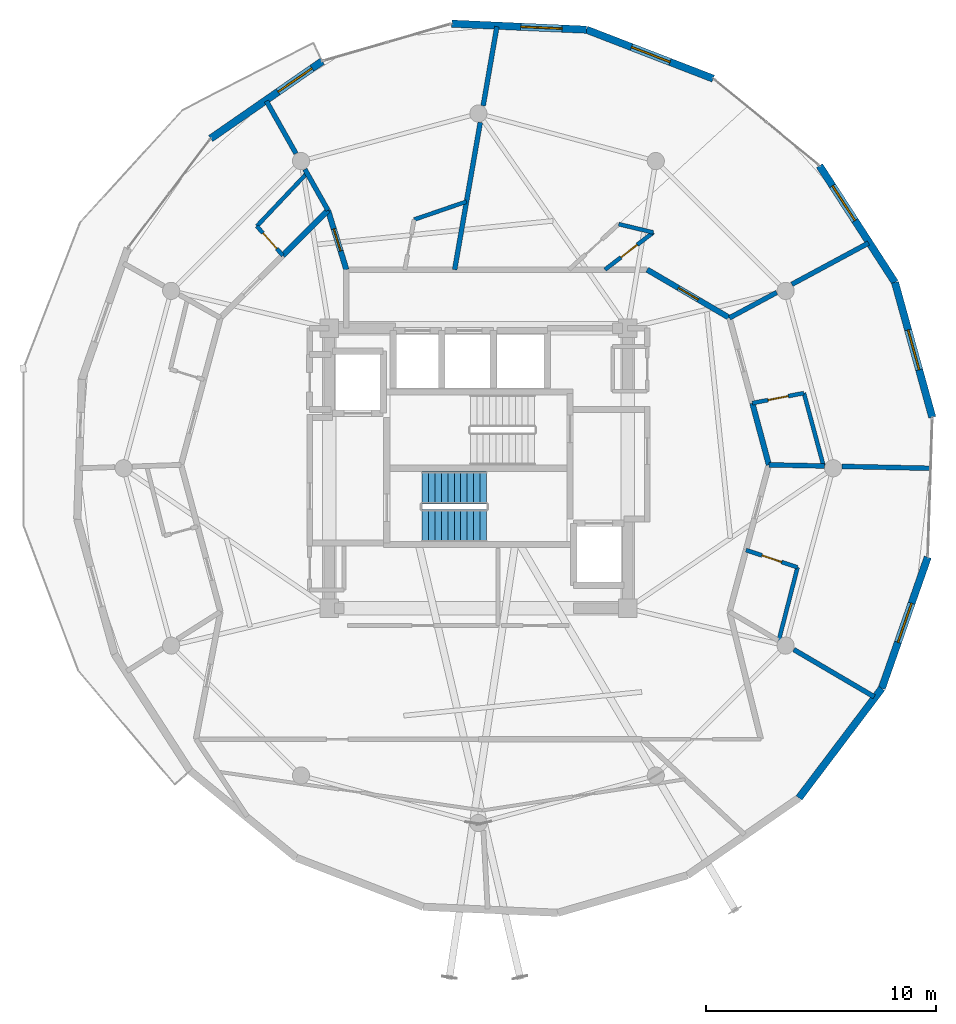
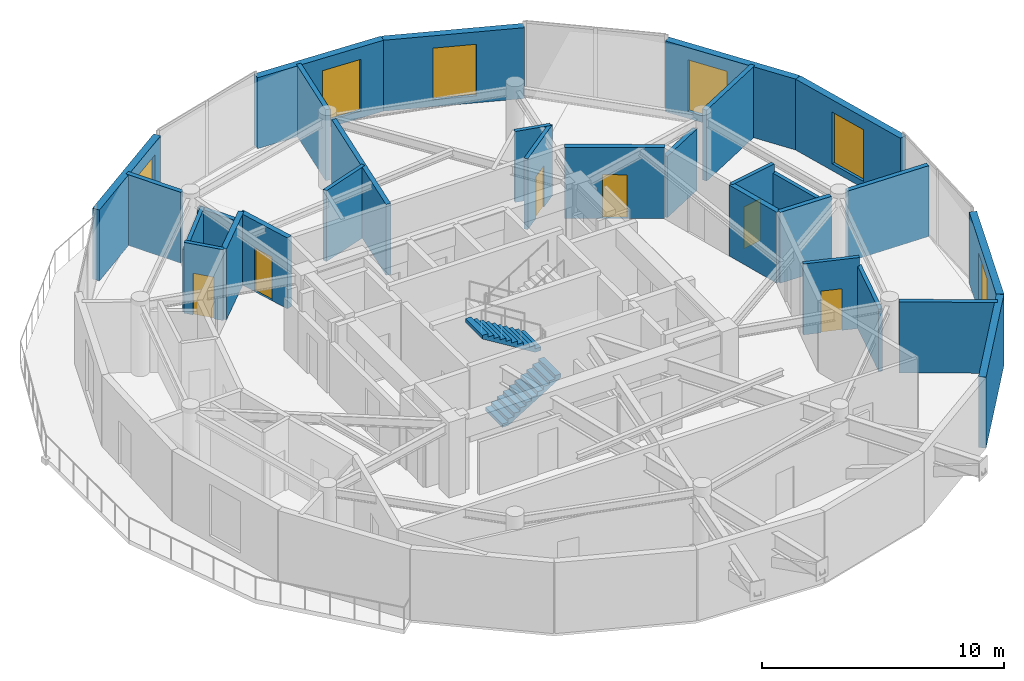
# One storey, part 13 of 16: 29 walls, 6 doors, 6 windows, 2 stair flights, 12 openings, 1 element without a shape of its own.
"""IFC4 building model written with IfcOpenShell, lengths in metres."""

from ifc_helpers import new_model, si_unit, direction, frame, frame_2d, origin, place, context, subcontext, project, spatial, polyline, rectangle, outline, extrude, material, layer, layer_set, type_object, element, fill, aggregate, save


model = new_model("IFC4")

# Units and contexts
model_context = context("Model", 3, precision=1e-05, world=origin(), true_north=direction((0.0, 1.0)))
body_context = subcontext(model_context, "Body", "Model", "MODEL_VIEW")
ifc_project = project(units=[si_unit("LENGTHUNIT", "METRE"), si_unit("AREAUNIT", "SQUARE_METRE"), si_unit("VOLUMEUNIT", "CUBIC_METRE"), si_unit("PLANEANGLEUNIT", "RADIAN"), si_unit("MASSUNIT", "GRAM", prefix="KILO")], contexts=[model_context])

# Site, building, storey
site_placement = place(None, origin())
site = spatial("IfcSite", under=ifc_project, at=site_placement, CompositionType="ELEMENT")
building_placement = place(site_placement, origin())
building = spatial("IfcBuilding", under=site, at=building_placement, Name="Solvirekh Grand Hotel", CompositionType="ELEMENT")
storey_placement = place(building_placement, frame((0.0, 0.0, 258.199951171875)))
storey = spatial("IfcBuildingStorey", under=building, at=storey_placement, Name="L67", CompositionType="ELEMENT", Elevation=258.199951171875)

# Wall
ifc_material_1 = material(Name="Precast concrete C45/55", Category="concrete")
ifc_layer_1 = layer(ifc_material_1, 0.320068359375)
ifc_layer_set_1 = layer_set([ifc_layer_1], Name="Precast concrete C45/55")
wall_type_1 = type_object("IfcWallType", Name="ExtLobbyWall_RC320", PredefinedType="SOLIDWALL", material=ifc_layer_set_1)
wall_1_placement = place(storey_placement, frame((17.569091796875, -9.5849609375, 0.0), z_axis=(0.0, 0.0, 1.0), x_axis=(-0.602861364765, -0.797845959364, 0.0)))
element("IfcWall", 1, at=wall_1_placement, inside=storey, type_object=wall_type_1, Name="L67 cantilevered deck support wall chord 3", PredefinedType="SOLIDWALL", context=body_context, shape_type="SweptSolid", body=[
    extrude(rectangle(XDim=5.985107421875, YDim=0.320068359375, at=frame_2d((2.99267578125, 0.0))), origin(), (0.0, 0.0, 1.0), 3.570068359375),
])

# Wall, opening, window
wall_2_placement = place(storey_placement, frame((19.570068359375, -3.8720703125, 0.0), z_axis=(0.0, 0.0, 1.0), x_axis=(-0.3305660024, -0.943782876544, 0.0)))
wall_2 = element("IfcWall", 2, at=wall_2_placement, inside=storey, type_object=wall_type_1, Name="L67 exterior structural wall chord 4", PredefinedType="SOLIDWALL", context=body_context, shape_type="SweptSolid", body=[
    extrude(rectangle(XDim=6.05322265625, YDim=0.320068359375, at=frame_2d((3.026611328125, 0.0))), origin(), (0.0, 0.0, 1.0), 3.570068359375),
])
opening_1_placement = place(wall_2_placement, frame((2.126953125, 0.0, 0.35009765625)))
opening_1 = element("IfcOpeningElement", 3, at=opening_1_placement, cuts=wall_2, Name="Opening W02", PredefinedType="OPENING", context=body_context, shape_type="SweptSolid", body=[
    extrude(rectangle(XDim=1.800048828125, YDim=2.60009765625, at=frame_2d((0.89990234375, 1.300048828125))), frame((0.0, 0.169921875, 0.0), z_axis=(0.0, -1.0, 0.0), x_axis=(1.0, 0.0, 0.0)), (0.0, 0.0, 1.0), 0.340087890625),
])
ifc_material_2 = material(Name="Low-E Tinted Bronze Laminated Glass", Category="aluminium")
window_type = type_object("IfcWindowType", Name="Win_LobbyExt_1800X2600", PartitioningType="SINGLE_PANEL", PredefinedType="WINDOW", material=ifc_material_2)
window_1_placement = place(opening_1_placement, origin())
window_1 = element("IfcWindow", 4, at=window_1_placement, inside=storey, type_object=window_type, Name="L67 panoramic bronze-framed window 4", OverallHeight=2.60009765625, OverallWidth=1.800048828125, PartitioningType="SINGLE_PANEL", PredefinedType="WINDOW", context=body_context, shape_type="SweptSolid", body=[
    extrude(rectangle(XDim=1.800048828125, YDim=2.60009765625, at=frame_2d((0.89990234375, 1.300048828125))), frame((0.0, 0.030029296875, 0.0), z_axis=(0.0, -1.0, 0.0), x_axis=(1.0, 0.0, 0.0)), (0.0, 0.0, 1.0), 0.06005859375),
])
fill(opening_1, window_1)

wall_3_placement = place(storey_placement, frame((18.14306640625, 8.094970703125, 0.0), z_axis=(0.0, 0.0, 1.0), x_axis=(0.266586054538, -0.963811120254, 0.0)))
wall_3 = element("IfcWall", 5, at=wall_3_placement, inside=storey, type_object=wall_type_1, Name="L67 exterior structural wall chord 6", PredefinedType="SOLIDWALL", context=body_context, shape_type="SweptSolid", body=[
    extrude(rectangle(XDim=6.095703125, YDim=0.320068359375, at=frame_2d((3.0478515625, 0.0))), origin(), (0.0, 0.0, 1.0), 3.570068359375),
])
opening_2_placement = place(wall_3_placement, frame((2.14794921875, 0.0, 0.35009765625)))
opening_2 = element("IfcOpeningElement", 6, at=opening_2_placement, cuts=wall_3, Name="Opening W02", PredefinedType="OPENING", context=body_context, shape_type="SweptSolid", body=[
    extrude(rectangle(XDim=1.800048828125, YDim=2.60009765625, at=frame_2d((0.89990234375, 1.300048828125))), frame((0.0, 0.169921875, 0.0), z_axis=(0.0, -1.0, 0.0), x_axis=(1.0, 0.0, 0.0)), (0.0, 0.0, 1.0), 0.340087890625),
])
window_2_placement = place(opening_2_placement, origin())
window_2 = element("IfcWindow", 7, at=window_2_placement, inside=storey, type_object=window_type, Name="L67 panoramic bronze-framed window 6", OverallHeight=2.60009765625, OverallWidth=1.800048828125, PartitioningType="SINGLE_PANEL", PredefinedType="WINDOW", context=body_context, shape_type="SweptSolid", body=[
    extrude(rectangle(XDim=1.800048828125, YDim=2.60009765625, at=frame_2d((0.89990234375, 1.300048828125))), frame((0.0, 0.030029296875, 0.0), z_axis=(0.0, -1.0, 0.0), x_axis=(1.0, 0.0, 0.0)), (0.0, 0.0, 1.0), 0.06005859375),
])
fill(opening_2, window_2)

wall_4_placement = place(storey_placement, frame((14.85498046875, 13.177001953125, 0.0), z_axis=(0.0, 0.0, 1.0), x_axis=(0.543217830049, -0.839591799101, 0.0)))
wall_4 = element("IfcWall", 8, at=wall_4_placement, inside=storey, type_object=wall_type_1, Name="L67 exterior structural wall chord 7", PredefinedType="SOLIDWALL", context=body_context, shape_type="SweptSolid", body=[
    extrude(rectangle(XDim=6.052978515625, YDim=0.320068359375, at=frame_2d((3.0263671875, 0.0))), origin(), (0.0, 0.0, 1.0), 3.570068359375),
])
opening_3_placement = place(wall_4_placement, frame((1.04296875, 0.0, 0.35009765625)))
opening_3 = element("IfcOpeningElement", 9, at=opening_3_placement, cuts=wall_4, Name="Opening W02", PredefinedType="OPENING", context=body_context, shape_type="SweptSolid", body=[
    extrude(rectangle(XDim=1.800048828125, YDim=2.60009765625, at=frame_2d((0.89990234375, 1.300048828125))), frame((0.0, 0.169921875, 0.0), z_axis=(0.0, -1.0, 0.0), x_axis=(1.0, 0.0, 0.0)), (0.0, 0.0, 1.0), 0.340087890625),
])
window_3_placement = place(opening_3_placement, origin())
window_3 = element("IfcWindow", 10, at=window_3_placement, inside=storey, type_object=window_type, Name="L67 panoramic bronze-framed window 7", OverallHeight=2.60009765625, OverallWidth=1.800048828125, PartitioningType="SINGLE_PANEL", PredefinedType="WINDOW", context=body_context, shape_type="SweptSolid", body=[
    extrude(rectangle(XDim=1.800048828125, YDim=2.60009765625, at=frame_2d((0.89990234375, 1.300048828125))), frame((0.0, 0.030029296875, 0.0), z_axis=(0.0, -1.0, 0.0), x_axis=(1.0, 0.0, 0.0)), (0.0, 0.0, 1.0), 0.06005859375),
])
fill(opening_3, window_3)

wall_5_placement = place(storey_placement, frame((4.70703125, 19.10107421875, 0.0), z_axis=(0.0, 0.0, 1.0), x_axis=(0.932869372668, -0.360214843582, 0.0)))
wall_5 = element("IfcWall", 11, at=wall_5_placement, inside=storey, type_object=wall_type_1, Name="L67 exterior structural wall chord 9", PredefinedType="SOLIDWALL", context=body_context, shape_type="SweptSolid", body=[
    extrude(rectangle(XDim=5.916259765625, YDim=0.320068359375, at=frame_2d((2.9580078125, 0.0))), origin(), (0.0, 0.0, 1.0), 3.570068359375),
])
opening_4_placement = place(wall_5_placement, frame((2.10302734375, 0.0, 0.35009765625)))
opening_4 = element("IfcOpeningElement", 12, at=opening_4_placement, cuts=wall_5, Name="Opening W02", PredefinedType="OPENING", context=body_context, shape_type="SweptSolid", body=[
    extrude(rectangle(XDim=1.800048828125, YDim=2.60009765625, at=frame_2d((0.89990234375, 1.300048828125))), frame((0.0, 0.169921875, 0.0), z_axis=(0.0, -1.0, 0.0), x_axis=(1.0, 0.0, 0.0)), (0.0, 0.0, 1.0), 0.340087890625),
])
window_4_placement = place(opening_4_placement, origin())
window_4 = element("IfcWindow", 13, at=window_4_placement, inside=storey, type_object=window_type, Name="L67 panoramic bronze-framed window 9", OverallHeight=2.60009765625, OverallWidth=1.800048828125, PartitioningType="SINGLE_PANEL", PredefinedType="WINDOW", context=body_context, shape_type="SweptSolid", body=[
    extrude(rectangle(XDim=1.800048828125, YDim=2.60009765625, at=frame_2d((0.89990234375, 1.300048828125))), frame((0.0, 0.030029296875, 0.0), z_axis=(0.0, -1.0, 0.0), x_axis=(1.0, 0.0, 0.0)), (0.0, 0.0, 1.0), 0.06005859375),
])
fill(opening_4, window_4)

wall_6_placement = place(storey_placement, frame((-1.158935546875, 19.363037109375, 0.0), z_axis=(0.0, 0.0, 1.0), x_axis=(0.999004316421, -0.044613627649, 0.0)))
wall_6 = element("IfcWall", 14, at=wall_6_placement, inside=storey, type_object=wall_type_1, Name="L67 exterior structural wall chord 10", PredefinedType="SOLIDWALL", context=body_context, shape_type="SweptSolid", body=[
    extrude(rectangle(XDim=5.871826171875, YDim=0.320068359375, at=frame_2d((2.93603515625, 0.0))), origin(), (0.0, 0.0, 1.0), 3.570068359375),
])
opening_5_placement = place(wall_6_placement, frame((3.009033203125, 0.0, 0.35009765625)))
opening_5 = element("IfcOpeningElement", 15, at=opening_5_placement, cuts=wall_6, Name="Opening W02", PredefinedType="OPENING", context=body_context, shape_type="SweptSolid", body=[
    extrude(rectangle(XDim=1.800048828125, YDim=2.60009765625, at=frame_2d((0.89990234375, 1.300048828125))), frame((0.0, 0.169921875, 0.0), z_axis=(0.0, -1.0, 0.0), x_axis=(1.0, 0.0, 0.0)), (0.0, 0.0, 1.0), 0.340087890625),
])
window_5_placement = place(opening_5_placement, origin())
window_5 = element("IfcWindow", 16, at=window_5_placement, inside=storey, type_object=window_type, Name="L67 panoramic bronze-framed window 10", OverallHeight=2.60009765625, OverallWidth=1.800048828125, PartitioningType="SINGLE_PANEL", PredefinedType="WINDOW", context=body_context, shape_type="SweptSolid", body=[
    extrude(rectangle(XDim=1.800048828125, YDim=2.60009765625, at=frame_2d((0.89990234375, 1.300048828125))), frame((0.0, 0.030029296875, 0.0), z_axis=(0.0, -1.0, 0.0), x_axis=(1.0, 0.0, 0.0)), (0.0, 0.0, 1.0), 0.06005859375),
])
fill(opening_5, window_5)

wall_7_placement = place(storey_placement, frame((-11.660888671875, 14.360107421875, 0.0), z_axis=(0.0, 0.0, 1.0), x_axis=(0.821952888389, 0.569555483925, 0.0)))
wall_7 = element("IfcWall", 17, at=wall_7_placement, inside=storey, type_object=wall_type_1, Name="L67 exterior structural wall chord 12", PredefinedType="SOLIDWALL", context=body_context, shape_type="SweptSolid", body=[
    extrude(rectangle(XDim=5.9150390625, YDim=0.320068359375, at=frame_2d((2.95751953125, 0.0))), origin(), (0.0, 0.0, 1.0), 3.570068359375),
])
opening_6_placement = place(wall_7_placement, frame((3.570068359375, 0.0, 0.35009765625)))
opening_6 = element("IfcOpeningElement", 18, at=opening_6_placement, cuts=wall_7, Name="Opening W02", PredefinedType="OPENING", context=body_context, shape_type="SweptSolid", body=[
    extrude(rectangle(XDim=1.800048828125, YDim=2.60009765625, at=frame_2d((0.89990234375, 1.300048828125))), frame((0.0, 0.169921875, 0.0), z_axis=(0.0, -1.0, 0.0), x_axis=(1.0, 0.0, 0.0)), (0.0, 0.0, 1.0), 0.340087890625),
])
window_6_placement = place(opening_6_placement, origin())
window_6 = element("IfcWindow", 19, at=window_6_placement, inside=storey, type_object=window_type, Name="L67 panoramic bronze-framed window 12", OverallHeight=2.60009765625, OverallWidth=1.800048828125, PartitioningType="SINGLE_PANEL", PredefinedType="WINDOW", context=body_context, shape_type="SweptSolid", body=[
    extrude(rectangle(XDim=1.800048828125, YDim=2.60009765625, at=frame_2d((0.89990234375, 1.300048828125))), frame((0.0, 0.030029296875, 0.0), z_axis=(0.0, -1.0, 0.0), x_axis=(1.0, 0.0, 0.0)), (0.0, 0.0, 1.0), 0.06005859375),
])
fill(opening_6, window_6)

# Wall, opening, door
ifc_material_3 = material(Name="Acoustic Gypsum Partition Assembly")
ifc_layer_2 = layer(ifc_material_3, 0.239990234375)
ifc_layer_set_2 = layer_set([ifc_layer_2], Name="Acoustic Gypsum Partition Assembly")
wall_type_2 = type_object("IfcWallType", Name="Part_Corridor_240", PredefinedType="PARTITIONING", material=ifc_layer_set_2)
wall_8_placement = place(storey_placement, frame((7.35009765625, 8.64990234375, 0.0), z_axis=(0.0, 0.0, 1.0), x_axis=(0.862873842462, -0.505419362505, 0.0)))
wall_8 = element("IfcWall", 20, at=wall_8_placement, inside=storey, type_object=wall_type_2, Name="L67 Deluxe Guestroom 6901 entrance wall", PredefinedType="PARTITIONING", context=body_context, shape_type="SweptSolid", body=[
    extrude(rectangle(XDim=4.15478515625, YDim=0.239990234375, at=frame_2d((2.077392578125, 0.0))), origin(), (0.0, 0.0, 1.0), 3.570068359375),
])
opening_7_placement = place(wall_8_placement, frame((1.576904296875, 0.0, 0.0)))
opening_7 = element("IfcOpeningElement", 21, at=opening_7_placement, cuts=wall_8, Name="Opening D07", PredefinedType="OPENING", context=body_context, shape_type="SweptSolid", body=[
    extrude(rectangle(XDim=1.0, YDim=2.199951171875, at=frame_2d((0.5, 1.10009765625))), frame((0.0, 0.1298828125, 0.0), z_axis=(0.0, -1.0, 0.0), x_axis=(1.0, 0.0, 0.0)), (0.0, 0.0, 1.0), 0.260009765625),
])
ifc_material_4 = material(Name="Fire-Rated Steel Door Assembly", Category="steel")
door_type_1 = type_object("IfcDoorType", Name="Door_GuestEntry_1000X2200", OperationType="NOTDEFINED", PredefinedType="DOOR", material=ifc_material_4)
door_1_placement = place(opening_7_placement, origin())
door_1 = element("IfcDoor", 22, at=door_1_placement, inside=storey, type_object=door_type_1, Name="L67 Deluxe Guestroom 6901 entrance door", OperationType="SINGLE_SWING_RIGHT", OverallHeight=2.199951171875, OverallWidth=1.0, PredefinedType="DOOR", context=body_context, shape_type="SweptSolid", body=[
    extrude(rectangle(XDim=1.0, YDim=2.199951171875, at=frame_2d((0.5, 1.10009765625))), frame((0.0, 0.02490234375, 0.0), z_axis=(0.0, -1.0, 0.0), x_axis=(1.0, 0.0, 0.0)), (0.0, 0.0, 1.0), 0.050048828125),
])
fill(opening_7, door_1)

wall_9_placement = place(storey_placement, frame((-6.550048828125, 11.235107421875, 0.0), z_axis=(0.0, 0.0, 1.0), x_axis=(0.295638642954, -0.955299844443, 0.0)))
wall_9 = element("IfcWall", 23, at=wall_9_placement, inside=storey, type_object=wall_type_2, Name="L67 Deluxe Guestroom 6902 entrance wall", PredefinedType="PARTITIONING", context=body_context, shape_type="SweptSolid", body=[
    extrude(rectangle(XDim=2.7060546875, YDim=0.239990234375, at=frame_2d((1.35302734375, 0.0))), origin(), (0.0, 0.0, 1.0), 3.570068359375),
])
opening_8_placement = place(wall_9_placement, frame((0.85302734375, 0.0, 0.0)))
opening_8 = element("IfcOpeningElement", 24, at=opening_8_placement, cuts=wall_9, Name="Opening D07", PredefinedType="OPENING", context=body_context, shape_type="SweptSolid", body=[
    extrude(rectangle(XDim=1.0, YDim=2.199951171875, at=frame_2d((0.5, 1.10009765625))), frame((0.0, 0.1298828125, 0.0), z_axis=(0.0, -1.0, 0.0), x_axis=(1.0, 0.0, 0.0)), (0.0, 0.0, 1.0), 0.260009765625),
])
door_2_placement = place(opening_8_placement, origin())
door_2 = element("IfcDoor", 25, at=door_2_placement, inside=storey, type_object=door_type_1, Name="L67 Deluxe Guestroom 6902 entrance door", OperationType="SINGLE_SWING_LEFT", OverallHeight=2.199951171875, OverallWidth=1.0, PredefinedType="DOOR", context=body_context, shape_type="SweptSolid", body=[
    extrude(rectangle(XDim=1.0, YDim=2.199951171875, at=frame_2d((0.5, 1.10009765625))), frame((0.0, 0.02490234375, 0.0), z_axis=(0.0, -1.0, 0.0), x_axis=(1.0, 0.0, 0.0)), (0.0, 0.0, 1.0), 0.050048828125),
])
fill(opening_8, door_2)

# Walls
wall_10_placement = place(storey_placement, frame((-6.550048828125, 11.235107421875, 0.0), z_axis=(0.0, 0.0, 1.0), x_axis=(-0.707106781187, -0.707106781187, 0.0)))
element("IfcWall", 26, at=wall_10_placement, inside=storey, type_object=wall_type_2, Name="L67 En-suite Bathroom 6903 corridor backing wall", PredefinedType="PARTITIONING", context=body_context, shape_type="SweptSolid", body=[
    extrude(rectangle(XDim=2.783203125, YDim=0.239990234375, at=frame_2d((1.3916015625, 0.0))), origin(), (0.0, 0.0, 1.0), 3.570068359375),
])
wall_11_placement = place(storey_placement, frame((12.64990234375, 0.14990234375, 0.0), z_axis=(0.0, 0.0, 1.0), x_axis=(-0.258727314432, 0.96595040078, 0.0)))
element("IfcWall", 27, at=wall_11_placement, inside=storey, type_object=wall_type_2, Name="L67 En-suite Bathroom 6907 corridor backing wall", PredefinedType="PARTITIONING", context=body_context, shape_type="SweptSolid", body=[
    extrude(rectangle(XDim=2.78271484375, YDim=0.239990234375, at=frame_2d((1.391357421875, 0.0))), origin(), (0.0, 0.0, 1.0), 3.570068359375),
])
ifc_layer_3 = layer(ifc_material_3, 0.2099609375)
ifc_layer_set_3 = layer_set([ifc_layer_3], Name="Acoustic Gypsum Partition Assembly")
wall_type_3 = type_object("IfcWallType", Name="Part_SuiteDemise_210", PredefinedType="PARTITIONING", material=ifc_layer_set_3)
wall_12_placement = place(storey_placement, frame((12.64990234375, 0.14990234375, 0.0), z_axis=(0.0, 0.0, 1.0), x_axis=(0.999768629451, -0.021510173543, 0.0)))
element("IfcWall", 28, at=wall_12_placement, inside=storey, type_object=wall_type_3, Name="L67 suite radial wall 1 (A)", PredefinedType="PARTITIONING", context=body_context, shape_type="SweptSolid", body=[
    extrude(rectangle(XDim=2.41748046875, YDim=0.2099609375, at=frame_2d((1.208740234375, 0.0))), origin(), (0.0, 0.0, 1.0), 3.570068359375),
])
wall_13_placement = place(storey_placement, frame((15.8359375, 0.08203125, 0.0), z_axis=(0.0, 0.0, 1.0), x_axis=(0.999769518417, -0.021468815632, 0.0)))
element("IfcWall", 29, at=wall_13_placement, inside=storey, type_object=wall_type_3, Name="L67 suite radial wall 1 (B)", PredefinedType="PARTITIONING", context=body_context, shape_type="SweptSolid", body=[
    extrude(rectangle(XDim=3.821044921875, YDim=0.2099609375, at=frame_2d((1.91064453125, 0.0))), origin(), (0.0, 0.0, 1.0), 3.570068359375),
])
wall_14_placement = place(storey_placement, frame((10.93505859375, 6.550048828125, 0.0), z_axis=(0.0, 0.0, 1.0), x_axis=(0.8804878863, 0.474068647011, 0.0)))
element("IfcWall", 30, at=wall_14_placement, inside=storey, type_object=wall_type_3, Name="L67 suite radial wall 2 (A)", PredefinedType="PARTITIONING", context=body_context, shape_type="SweptSolid", body=[
    extrude(rectangle(XDim=2.3349609375, YDim=0.2099609375, at=frame_2d((1.16748046875, 0.0))), origin(), (0.0, 0.0, 1.0), 3.0849609375),
])
wall_15_placement = place(storey_placement, frame((13.65087890625, 8.011962890625, 0.0), z_axis=(0.0, 0.0, 1.0), x_axis=(0.880500064333, 0.47404602805, 0.0)))
element("IfcWall", 31, at=wall_15_placement, inside=storey, type_object=wall_type_3, Name="L67 suite radial wall 2 (B)", PredefinedType="PARTITIONING", context=body_context, shape_type="SweptSolid", body=[
    extrude(rectangle(XDim=3.7890625, YDim=0.2099609375, at=frame_2d((1.89453125, 0.0))), origin(), (0.0, 0.0, 1.0), 3.570068359375),
])
wall_16_placement = place(storey_placement, frame((-6.550048828125, 11.235107421875, 0.0), z_axis=(0.0, 0.0, 1.0), x_axis=(-0.491351277928, 0.87096149265, 0.0)))
element("IfcWall", 32, at=wall_16_placement, inside=storey, type_object=wall_type_3, Name="L67 suite radial wall 5 (A)", PredefinedType="PARTITIONING", context=body_context, shape_type="SweptSolid", body=[
    extrude(rectangle(XDim=2.051513671875, YDim=0.2099609375, at=frame_2d((1.02587890625, 0.0))), origin(), (0.0, 0.0, 1.0), 3.0849609375),
])
wall_17_placement = place(storey_placement, frame((-7.945068359375, 13.7080078125, 0.0), z_axis=(0.0, 0.0, 1.0), x_axis=(-0.491290412496, 0.870995826965, 0.0)))
element("IfcWall", 33, at=wall_17_placement, inside=storey, type_object=wall_type_3, Name="L67 suite radial wall 5 (B)", PredefinedType="PARTITIONING", context=body_context, shape_type="SweptSolid", body=[
    extrude(rectangle(XDim=2.623291015625, YDim=0.2099609375, at=frame_2d((1.3115234375, 0.0))), origin(), (0.0, 0.0, 1.0), 3.570068359375),
])
wall_18_placement = place(storey_placement, frame((13.736083984375, -7.89501953125, 0.0), z_axis=(0.0, 0.0, 1.0), x_axis=(0.862215081252, -0.506542351301, 0.0)))
element("IfcWall", 34, at=wall_18_placement, inside=storey, type_object=wall_type_3, Name="L67 suite radial wall 12 (B)", PredefinedType="PARTITIONING", context=body_context, shape_type="SweptSolid", body=[
    extrude(rectangle(XDim=4.06494140625, YDim=0.2099609375, at=frame_2d((2.032470703125, 0.0))), origin(), (0.0, 0.0, 1.0), 3.570068359375),
])
wall_19_placement = place(storey_placement, frame((-1.033935546875, 8.64990234375, 0.0), z_axis=(0.0, 0.0, 1.0), x_axis=(0.171292106425, 0.985220287183, 0.0)))
element("IfcWall", 35, at=wall_19_placement, inside=storey, type_object=wall_type_3, Name="L67 Panorama Suite 6901 North Observatory Study dividing partition 1 (A)", PredefinedType="PARTITIONING", context=body_context, shape_type="SweptSolid", body=[
    extrude(rectangle(XDim=6.50927734375, YDim=0.2099609375, at=frame_2d((3.254638671875, 0.0))), origin(), (0.0, 0.0, 1.0), 3.570068359375),
])
wall_20_placement = place(storey_placement, frame((0.20703125, 15.787109375, 0.0), z_axis=(0.0, 0.0, 1.0), x_axis=(0.17112625243, 0.985249108464, 0.0)))
element("IfcWall", 36, at=wall_20_placement, inside=storey, type_object=wall_type_3, Name="L67 Panorama Suite 6901 North Observatory Study dividing partition 1 (B)", PredefinedType="PARTITIONING", context=body_context, shape_type="SweptSolid", body=[
    extrude(rectangle(XDim=3.49951171875, YDim=0.2099609375, at=frame_2d((1.749755859375, 0.0))), origin(), (0.0, 0.0, 1.0), 3.570068359375),
])
ifc_layer_4 = layer(ifc_material_3, 0.175048828125)
ifc_layer_set_4 = layer_set([ifc_layer_4], Name="Acoustic Gypsum Partition Assembly")
wall_type_4 = type_object("IfcWallType", Name="Plumb_Ensuite_175", PredefinedType="PLUMBINGWALL", material=ifc_layer_set_4)
wall_21_placement = place(storey_placement, frame((6.110107421875, 10.632080078125, 0.0), z_axis=(0.0, 0.0, 1.0), x_axis=(0.972434507915, -0.233176173347, 0.0)))
element("IfcWall", 37, at=wall_21_placement, inside=storey, type_object=wall_type_4, Name="L67 En-suite Bathroom 6901 outer plumbing wall", PredefinedType="PLUMBINGWALL", context=body_context, shape_type="SweptSolid", body=[
    extrude(rectangle(XDim=1.548583984375, YDim=0.175048828125, at=frame_2d((0.7744140625, 0.0))), origin(), (0.0, 0.0, 1.0), 3.570068359375),
])

# Wall, opening, door
wall_22_placement = place(storey_placement, frame((5.510986328125, 8.64990234375, 0.0), z_axis=(0.0, 0.0, 1.0), x_axis=(0.792282263308, 0.610154746969, 0.0)))
wall_22 = element("IfcWall", 38, at=wall_22_placement, inside=storey, type_object=wall_type_4, Name="L67 En-suite Bathroom 6901 entry plumbing wall", PredefinedType="PLUMBINGWALL", context=body_context, shape_type="SweptSolid", body=[
    extrude(rectangle(XDim=2.65673828125, YDim=0.175048828125, at=frame_2d((1.328369140625, 0.0))), origin(), (0.0, 0.0, 1.0), 3.570068359375),
])
opening_9_placement = place(wall_22_placement, frame((0.8779296875, 0.0, 0.0)))
opening_9 = element("IfcOpeningElement", 39, at=opening_9_placement, cuts=wall_22, Name="Opening D09", PredefinedType="OPENING", context=body_context, shape_type="SweptSolid", body=[
    extrude(rectangle(XDim=0.89990234375, YDim=2.10009765625, at=frame_2d((0.449951171875, 1.050048828125))), frame((0.0, 0.09765625, 0.0), z_axis=(0.0, -1.0, 0.0), x_axis=(1.0, 0.0, 0.0)), (0.0, 0.0, 1.0), 0.195068359375),
])
ifc_material_5 = material(Name="Anodized Bronze Aluminium 6063-T6", Category="aluminium")
door_type_2 = type_object("IfcDoorType", Name="Door_Ensuite_900X2100", OperationType="NOTDEFINED", PredefinedType="DOOR", material=ifc_material_5)
door_3_placement = place(opening_9_placement, origin())
door_3 = element("IfcDoor", 40, at=door_3_placement, inside=storey, type_object=door_type_2, Name="L67 En-suite Bathroom 6901 door", OperationType="SINGLE_SWING_LEFT", OverallHeight=2.10009765625, OverallWidth=0.89990234375, PredefinedType="DOOR", context=body_context, shape_type="SweptSolid", body=[
    extrude(rectangle(XDim=0.89990234375, YDim=2.10009765625, at=frame_2d((0.449951171875, 1.050048828125))), frame((0.0, 0.02490234375, 0.0), z_axis=(0.0, -1.0, 0.0), x_axis=(1.0, 0.0, 0.0)), (0.0, 0.0, 1.0), 0.050048828125),
])
fill(opening_9, door_3)

# Walls
wall_23_placement = place(storey_placement, frame((-2.801025390625, 10.830078125, 0.0), z_axis=(0.0, 0.0, 1.0), x_axis=(0.945749765069, 0.324895955455, 0.0)))
element("IfcWall", 41, at=wall_23_placement, inside=storey, type_object=wall_type_4, Name="L67 En-suite Bathroom 6902 outer plumbing wall", PredefinedType="PLUMBINGWALL", context=body_context, shape_type="SweptSolid", body=[
    extrude(rectangle(XDim=2.412841796875, YDim=0.175048828125, at=frame_2d((1.20654296875, 0.0))), origin(), (0.0, 0.0, 1.0), 3.570068359375),
])
wall_24_placement = place(storey_placement, frame((-7.462890625, 12.85302734375, 0.0), z_axis=(0.0, 0.0, 1.0), x_axis=(-0.687655215005, -0.726037399365, 0.0)))
element("IfcWall", 42, at=wall_24_placement, inside=storey, type_object=wall_type_4, Name="L67 En-suite Bathroom 6903 outer plumbing wall", PredefinedType="PLUMBINGWALL", context=body_context, shape_type="SweptSolid", body=[
    extrude(rectangle(XDim=3.180419921875, YDim=0.175048828125, at=frame_2d((1.59033203125, 0.0))), origin(), (0.0, 0.0, 1.0), 3.136962890625),
])

# Wall, opening, door
wall_25_placement = place(storey_placement, frame((-8.51806640625, 9.26708984375, 0.0), z_axis=(0.0, 0.0, 1.0), x_axis=(-0.663333009782, 0.748324340198, 0.0)))
wall_25 = element("IfcWall", 43, at=wall_25_placement, inside=storey, type_object=wall_type_4, Name="L67 En-suite Bathroom 6903 entry plumbing wall", PredefinedType="PLUMBINGWALL", context=body_context, shape_type="SweptSolid", body=[
    extrude(rectangle(XDim=1.706298828125, YDim=0.175048828125, at=frame_2d((0.85302734375, 0.0))), origin(), (0.0, 0.0, 1.0), 3.570068359375),
])
opening_10_placement = place(wall_25_placement, frame((0.403076171875, 0.0, 0.0)))
opening_10 = element("IfcOpeningElement", 44, at=opening_10_placement, cuts=wall_25, Name="Opening D09", PredefinedType="OPENING", context=body_context, shape_type="SweptSolid", body=[
    extrude(rectangle(XDim=0.89990234375, YDim=2.10009765625, at=frame_2d((0.449951171875, 1.050048828125))), frame((0.0, 0.09765625, 0.0), z_axis=(0.0, -1.0, 0.0), x_axis=(1.0, 0.0, 0.0)), (0.0, 0.0, 1.0), 0.195068359375),
])
door_4_placement = place(opening_10_placement, origin())
door_4 = element("IfcDoor", 45, at=door_4_placement, inside=storey, type_object=door_type_2, Name="L67 En-suite Bathroom 6903 door", OperationType="SINGLE_SWING_RIGHT", OverallHeight=2.10009765625, OverallWidth=0.89990234375, PredefinedType="DOOR", context=body_context, shape_type="SweptSolid", body=[
    extrude(rectangle(XDim=0.89990234375, YDim=2.10009765625, at=frame_2d((0.449951171875, 1.050048828125))), frame((0.0, 0.02490234375, 0.0), z_axis=(0.0, -1.0, 0.0), x_axis=(1.0, 0.0, 0.0)), (0.0, 0.0, 1.0), 0.050048828125),
])
fill(opening_10, door_4)

# Wall
wall_26_placement = place(storey_placement, frame((13.0791015625, -7.509033203125, 0.0), z_axis=(0.0, 0.0, 1.0), x_axis=(0.248539172998, 0.968621845451, 0.0)))
element("IfcWall", 46, at=wall_26_placement, inside=storey, type_object=wall_type_4, Name="L67 En-suite Bathroom 6906 outer plumbing wall", PredefinedType="PLUMBINGWALL", context=body_context, shape_type="SweptSolid", body=[
    extrude(rectangle(XDim=3.298583984375, YDim=0.175048828125, at=frame_2d((1.6494140625, 0.0))), origin(), (0.0, 0.0, 1.0), 3.136962890625),
])

# Wall, opening, door
wall_27_placement = place(storey_placement, frame((11.655029296875, -3.56201171875, 0.0), z_axis=(0.0, 0.0, 1.0), x_axis=(0.948176584349, -0.317743866804, 0.0)))
wall_27 = element("IfcWall", 47, at=wall_27_placement, inside=storey, type_object=wall_type_4, Name="L67 En-suite Bathroom 6906 entry plumbing wall", PredefinedType="PLUMBINGWALL", context=body_context, shape_type="SweptSolid", body=[
    extrude(rectangle(XDim=2.366455078125, YDim=0.175048828125, at=frame_2d((1.18310546875, 0.0))), origin(), (0.0, 0.0, 1.0), 3.570068359375),
])
opening_11_placement = place(wall_27_placement, frame((0.73291015625, 0.0, 0.0)))
opening_11 = element("IfcOpeningElement", 48, at=opening_11_placement, cuts=wall_27, Name="Opening D09", PredefinedType="OPENING", context=body_context, shape_type="SweptSolid", body=[
    extrude(rectangle(XDim=0.89990234375, YDim=2.10009765625, at=frame_2d((0.449951171875, 1.050048828125))), frame((0.0, 0.09765625, 0.0), z_axis=(0.0, -1.0, 0.0), x_axis=(1.0, 0.0, 0.0)), (0.0, 0.0, 1.0), 0.195068359375),
])
door_5_placement = place(opening_11_placement, origin())
door_5 = element("IfcDoor", 49, at=door_5_placement, inside=storey, type_object=door_type_2, Name="L67 En-suite Bathroom 6906 door", OperationType="SINGLE_SWING_RIGHT", OverallHeight=2.10009765625, OverallWidth=0.89990234375, PredefinedType="DOOR", context=body_context, shape_type="SweptSolid", body=[
    extrude(rectangle(XDim=0.89990234375, YDim=2.10009765625, at=frame_2d((0.449951171875, 1.050048828125))), frame((0.0, 0.02490234375, 0.0), z_axis=(0.0, -1.0, 0.0), x_axis=(1.0, 0.0, 0.0)), (0.0, 0.0, 1.0), 0.050048828125),
])
fill(opening_11, door_5)

# Wall
wall_28_placement = place(storey_placement, frame((15.031982421875, 0.09912109375, 0.0), z_axis=(0.0, 0.0, 1.0), x_axis=(-0.260314282217, 0.965523937805, 0.0)))
element("IfcWall", 50, at=wall_28_placement, inside=storey, type_object=wall_type_4, Name="L67 En-suite Bathroom 6907 outer plumbing wall", PredefinedType="PLUMBINGWALL", context=body_context, shape_type="SweptSolid", body=[
    extrude(rectangle(XDim=3.2880859375, YDim=0.175048828125, at=frame_2d((1.64404296875, 0.0))), origin(), (0.0, 0.0, 1.0), 3.136962890625),
])

# Wall, opening, door
wall_29_placement = place(storey_placement, frame((11.929931640625, 2.837890625, 0.0), z_axis=(0.0, 0.0, 1.0), x_axis=(0.98167309954, 0.190572625628, 0.0)))
wall_29 = element("IfcWall", 51, at=wall_29_placement, inside=storey, type_object=wall_type_4, Name="L67 En-suite Bathroom 6907 entry plumbing wall", PredefinedType="PLUMBINGWALL", context=body_context, shape_type="SweptSolid", body=[
    extrude(rectangle(XDim=2.2880859375, YDim=0.175048828125, at=frame_2d((1.14404296875, 0.0))), origin(), (0.0, 0.0, 1.0), 3.570068359375),
])
opening_12_placement = place(wall_29_placement, frame((0.694091796875, 0.0, 0.0)))
opening_12 = element("IfcOpeningElement", 52, at=opening_12_placement, cuts=wall_29, Name="Opening D09", PredefinedType="OPENING", context=body_context, shape_type="SweptSolid", body=[
    extrude(rectangle(XDim=0.89990234375, YDim=2.10009765625, at=frame_2d((0.449951171875, 1.050048828125))), frame((0.0, 0.09765625, 0.0), z_axis=(0.0, -1.0, 0.0), x_axis=(1.0, 0.0, 0.0)), (0.0, 0.0, 1.0), 0.195068359375),
])
door_6_placement = place(opening_12_placement, origin())
door_6 = element("IfcDoor", 53, at=door_6_placement, inside=storey, type_object=door_type_2, Name="L67 En-suite Bathroom 6907 door", OperationType="SINGLE_SWING_RIGHT", OverallHeight=2.10009765625, OverallWidth=0.89990234375, PredefinedType="DOOR", context=body_context, shape_type="SweptSolid", body=[
    extrude(rectangle(XDim=0.89990234375, YDim=2.10009765625, at=frame_2d((0.449951171875, 1.050048828125))), frame((0.0, 0.02490234375, 0.0), z_axis=(0.0, -1.0, 0.0), x_axis=(1.0, 0.0, 0.0)), (0.0, 0.0, 1.0), 0.050048828125),
])
fill(opening_12, door_6)

# Stair, stair flights
ifc_material_6 = material(Name="Concrete C40/50", Category="concrete")
stair_type = type_object("IfcStairType", Name="Stair_Core_1450", PredefinedType="HALF_TURN_STAIR", material=ifc_material_6)
stair_placement = place(storey_placement, origin())
stair = element("IfcStair", 54, at=stair_placement, inside=storey, type_object=stair_type, Name="L67 Enclosed exit stair ST-1", PredefinedType="HALF_TURN_STAIR")
stair_flight_type = type_object("IfcStairFlightType", Name="Flight_Core_1450", PredefinedType="STRAIGHT", material=ifc_material_6)
stair_flight_1_placement = place(storey_placement, frame((-2.449951171875, -2.5, 0.0), z_axis=(0.0, 0.0, 1.0), x_axis=(1.0, 0.0, 0.0)))
stair_flight_1 = element("IfcStairFlight", 55, at=stair_flight_1_placement, type_object=stair_flight_type, Name="ST-1 flight 1", NumberOfRisers=11, NumberOfTreads=10, PredefinedType="STRAIGHT", RiserHeight=0.172727273, TreadLength=0.28, context=body_context, shape_type="SweptSolid", body=[
    extrude(outline(polyline([(0.0, 0.0), (0.0, 0.172607421875), (0.280029296875, 0.172607421875), (0.280029296875, 0.345458984375), (0.56005859375, 0.345458984375), (0.56005859375, 0.51806640625), (0.840087890625, 0.51806640625), (0.840087890625, 0.69091796875), (1.1201171875, 0.69091796875), (1.1201171875, 0.863525390625), (1.39990234375, 0.863525390625), (1.39990234375, 1.036376953125), (1.679931640625, 1.036376953125), (1.679931640625, 1.208984375), (1.9599609375, 1.208984375), (1.9599609375, 1.3818359375), (2.239990234375, 1.3818359375), (2.239990234375, 1.554443359375), (2.52001953125, 1.554443359375), (2.52001953125, 1.727294921875), (2.800048828125, 1.727294921875), (2.800048828125, 1.89990234375), (2.800048828125, 1.551025390625), (0.285400390625, 0.0), (0.0, 0.0)])), frame((0.0, 0.699951171875, 0.0), z_axis=(0.0, -1.0, 0.0), x_axis=(1.0, 0.0, 0.0)), (0.0, 0.0, 1.0), 1.39990234375),
])
stair_flight_2_placement = place(storey_placement, frame((0.35009765625, -0.85009765625, 1.900146484375), z_axis=(0.0, 0.0, 1.0), x_axis=(-1.0, 0.0, 0.0)))
stair_flight_2 = element("IfcStairFlight", 56, at=stair_flight_2_placement, type_object=stair_flight_type, Name="ST-1 flight 2", NumberOfRisers=11, NumberOfTreads=10, PredefinedType="STRAIGHT", RiserHeight=0.172727273, TreadLength=0.28, context=body_context, shape_type="SweptSolid", body=[
    extrude(outline(polyline([(0.0, 0.0), (0.0, 0.172607421875), (0.280029296875, 0.172607421875), (0.280029296875, 0.345458984375), (0.56005859375, 0.345458984375), (0.56005859375, 0.51806640625), (0.840087890625, 0.51806640625), (0.840087890625, 0.69091796875), (1.1201171875, 0.69091796875), (1.1201171875, 0.863525390625), (1.39990234375, 0.863525390625), (1.39990234375, 1.036376953125), (1.679931640625, 1.036376953125), (1.679931640625, 1.208984375), (1.9599609375, 1.208984375), (1.9599609375, 1.3818359375), (2.239990234375, 1.3818359375), (2.239990234375, 1.554443359375), (2.52001953125, 1.554443359375), (2.52001953125, 1.727294921875), (2.800048828125, 1.727294921875), (2.800048828125, 1.89990234375), (2.800048828125, 1.551025390625), (0.285400390625, 0.0), (0.0, 0.0)])), frame((0.0, 0.699951171875, 0.0), z_axis=(0.0, -1.0, 0.0), x_axis=(1.0, 0.0, 0.0)), (0.0, 0.0, 1.0), 1.39990234375),
])
aggregate(stair, [stair_flight_1, stair_flight_2])

save(model, "model.ifc")
